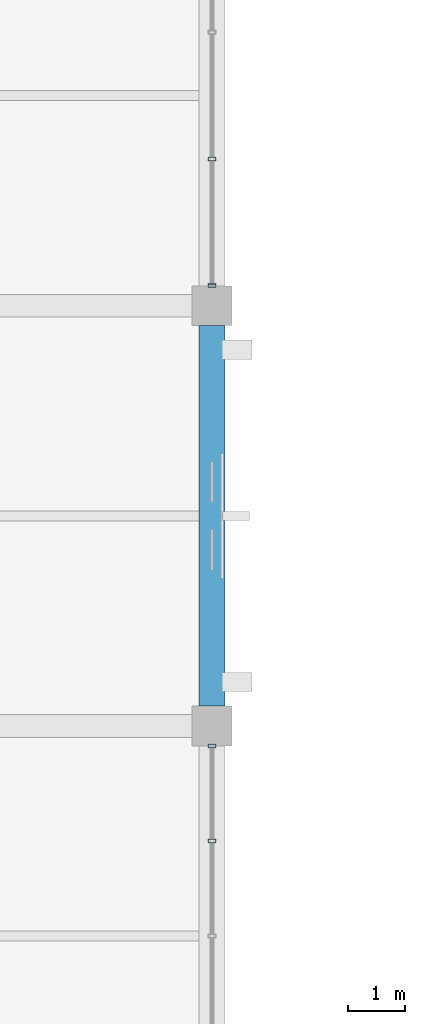
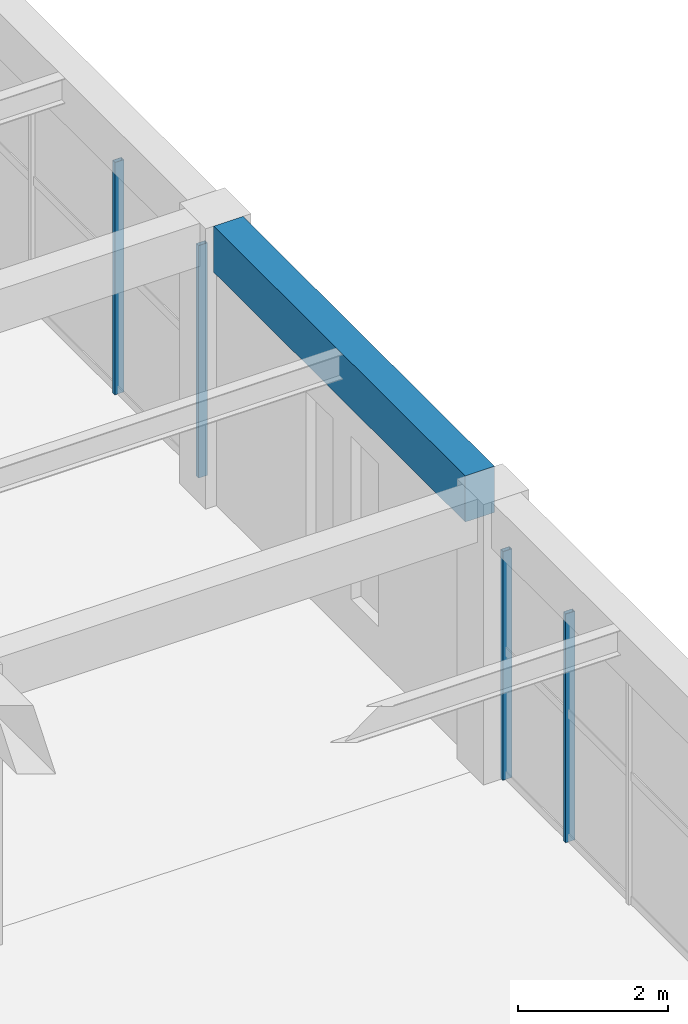
# One storey, part 66 of 161: 4 members, 1 beam, 2 elements without a shape of their own.
"""IFC4 building model written with IfcOpenShell, lengths in metres."""

from ifc_helpers import new_model, si_unit, direction, frame, origin, origin_2d, place, context, subcontext, project, spatial, rectangle, hollow_rectangle, extrude, material, material_profile, profile_set, type_object, element, aggregate, save


model = new_model("IFC4")

# Units and contexts
model_context = context("Model", 3, precision=1e-05, world=origin(), true_north=direction((0.0, 1.0)))
body_context = subcontext(model_context, "Body", "Model", "MODEL_VIEW")
ifc_project = project(units=[si_unit("LENGTHUNIT", "METRE"), si_unit("AREAUNIT", "SQUARE_METRE"), si_unit("VOLUMEUNIT", "CUBIC_METRE"), si_unit("PLANEANGLEUNIT", "RADIAN"), si_unit("MASSUNIT", "GRAM", prefix="KILO")], contexts=[model_context])

# Site, building, storey
site_placement = place(None, origin())
site = spatial("IfcSite", under=ifc_project, at=site_placement, CompositionType="ELEMENT")
building_placement = place(site_placement, origin())
building = spatial("IfcBuilding", under=site, at=building_placement, Name="Cimatlan Art Gallery", CompositionType="ELEMENT")
storey_placement = place(building_placement, frame((0.0, 0.0, 5.39990234375)))
storey = spatial("IfcBuildingStorey", under=building, at=storey_placement, Name="L01", CompositionType="ELEMENT", Elevation=5.39990234375)

# Beam
ifc_material_1 = material(Name="Concrete C40/50", Category="concrete")
ifc_material_profile_1 = material_profile(ifc_material_1, rectangle(XDim=0.449951171875, YDim=0.75, at=origin_2d()), Name="RC450X750")
ifc_profile_set_1 = profile_set([ifc_material_profile_1], Name="Concrete C40/50")
beam_type = type_object("IfcBeamType", Name="BM-RC-450X750", PredefinedType="BEAM", material=ifc_profile_set_1)
beam_placement = place(storey_placement, frame((18.199951171875, 68.64990234375, 4.18505859375), z_axis=(0.0, 1.0, 0.0), x_axis=(-1.0, 0.0, 0.0)))
element("IfcBeam", 1, at=beam_placement, inside=storey, type_object=beam_type, Name="BM-Y-L01-02-09", PredefinedType="BEAM", context=body_context, shape_type="SweptSolid", body=[
    extrude(rectangle(XDim=0.449951171875, YDim=0.75, at=origin_2d()), origin(), (0.0, 0.0, 1.0), 6.7001953125),
])

# Curtain wall, members
ifc_material_2 = material(Name="Anodised bronze unitised curtain wall")
curtain_wall_type_1 = type_object("IfcCurtainWallType", Name="CW-V-06692X03720-B4", PredefinedType="NOTDEFINED", material=ifc_material_2)
curtain_wall_1_placement = place(storey_placement, origin())
curtain_wall_1 = element("IfcCurtainWall", 2, at=curtain_wall_1_placement, inside=storey, type_object=curtain_wall_type_1, Name="CW-L01-01-08-E", PredefinedType="NOTDEFINED")
ifc_material_3 = material(Name="Anodised bronze aluminium 6063-T6", Category="aluminium")
ifc_material_profile_2 = material_profile(ifc_material_3, hollow_rectangle(XDim=0.06494140625, YDim=0.139892578125, WallThickness=0.00390625, at=origin_2d()), Name="ALU65X140X4")
ifc_profile_set_2 = profile_set([ifc_material_profile_2], Name="Anodised bronze aluminium 6063-T6")
member_type = type_object("IfcMemberType", Name="CW-MUL-140", PredefinedType="MULLION", material=ifc_profile_set_2)
member_1_placement = place(storey_placement, frame((18.199951171875, 67.946044921875, 0.0), z_axis=(0.0, 0.0, 1.0), x_axis=(0.0, 1.0, 0.0)))
member_1 = element("IfcMember", 3, at=member_1_placement, type_object=member_type, Name="CW-L01-01-08-E-M1", PredefinedType="MULLION", context=body_context, shape_type="SweptSolid", body=[
    extrude(hollow_rectangle(XDim=0.06494140625, YDim=0.139892578125, WallThickness=0.00390625, at=origin_2d()), origin(), (0.0, 0.0, 1.0), 3.72021484375),
])
member_2_placement = place(storey_placement, frame((18.199951171875, 66.27294921875, 0.0), z_axis=(0.0, 0.0, 1.0), x_axis=(0.0, 1.0, 0.0)))
member_2 = element("IfcMember", 4, at=member_2_placement, type_object=member_type, Name="CW-L01-01-08-E-M2", PredefinedType="MULLION", context=body_context, shape_type="SweptSolid", body=[
    extrude(hollow_rectangle(XDim=0.06494140625, YDim=0.139892578125, WallThickness=0.00390625, at=origin_2d()), origin(), (0.0, 0.0, 1.0), 3.72021484375),
])
aggregate(curtain_wall_1, [member_1, member_2])

curtain_wall_type_2 = type_object("IfcCurtainWallType", Name="CW-V-06692X03780-B3", PredefinedType="NOTDEFINED", material=ifc_material_2)
curtain_wall_2_placement = place(storey_placement, origin())
curtain_wall_2 = element("IfcCurtainWall", 5, at=curtain_wall_2_placement, inside=storey, type_object=curtain_wall_type_2, Name="CW-L01-01-10-E", PredefinedType="NOTDEFINED")
member_3_placement = place(storey_placement, frame((18.199951171875, 78.28466796875, 0.0), z_axis=(0.0, 0.0, 1.0), x_axis=(0.0, 1.0, 0.0)))
member_3 = element("IfcMember", 6, at=member_3_placement, type_object=member_type, Name="CW-L01-01-10-E-M3", PredefinedType="MULLION", context=body_context, shape_type="SweptSolid", body=[
    extrude(hollow_rectangle(XDim=0.06494140625, YDim=0.139892578125, WallThickness=0.00390625, at=origin_2d()), origin(), (0.0, 0.0, 1.0), 3.780029296875),
])
member_4_placement = place(storey_placement, frame((18.199951171875, 76.053955078125, 0.0), z_axis=(0.0, 0.0, 1.0), x_axis=(0.0, 1.0, 0.0)))
member_4 = element("IfcMember", 7, at=member_4_placement, type_object=member_type, Name="CW-L01-01-10-E-M4", PredefinedType="MULLION", context=body_context, shape_type="SweptSolid", body=[
    extrude(hollow_rectangle(XDim=0.06494140625, YDim=0.139892578125, WallThickness=0.00390625, at=origin_2d()), origin(), (0.0, 0.0, 1.0), 3.780029296875),
])
aggregate(curtain_wall_2, [member_3, member_4])

save(model, "model.ifc")
